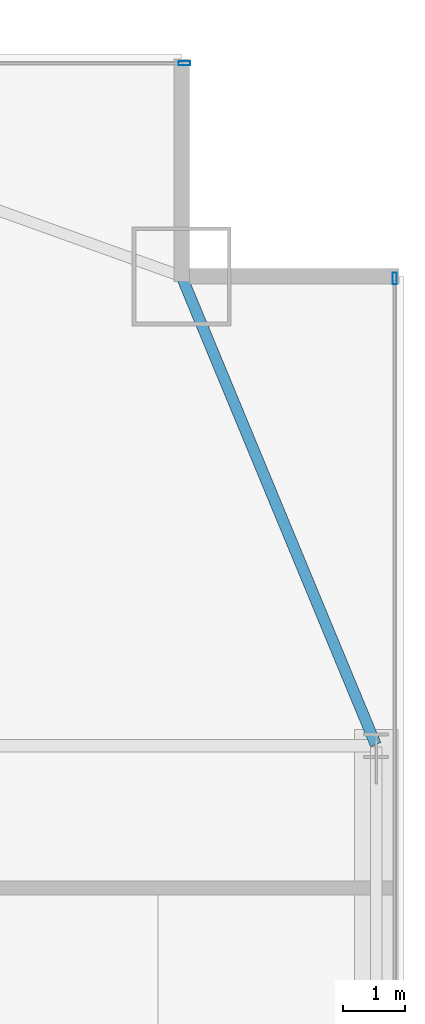
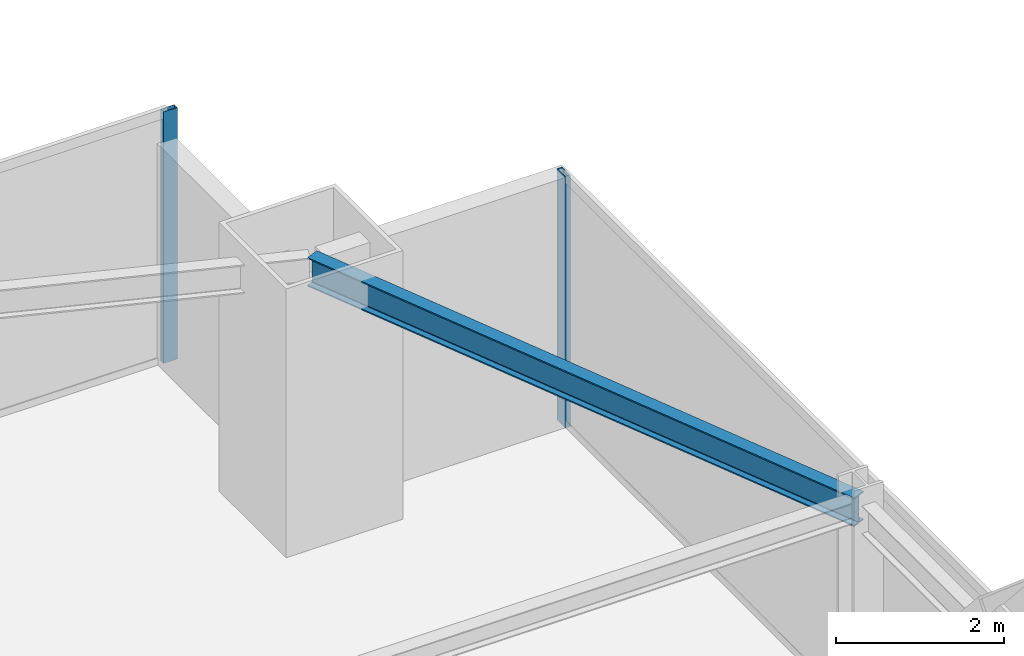
# One storey, part 24 of 32: 2 members, 1 beam, 2 elements without a shape of their own.
"""IFC4 building model written with IfcOpenShell, lengths in metres."""

from ifc_helpers import new_model, si_unit, direction, frame, origin, origin_2d, place, context, subcontext, project, spatial, hollow_rectangle, i_section, extrude, source, transform, mapped, material, layer, layer_set, material_profile, profile_set, type_object, type_shapes, element, aggregate, save


model = new_model("IFC4")

# Units and contexts
model_context = context("Model", 3, precision=1e-05, world=origin(), true_north=direction((0.0, 1.0)))
body_context = subcontext(model_context, "Body", "Model", "MODEL_VIEW")
ifc_project = project(units=[si_unit("LENGTHUNIT", "METRE"), si_unit("AREAUNIT", "SQUARE_METRE"), si_unit("VOLUMEUNIT", "CUBIC_METRE"), si_unit("PLANEANGLEUNIT", "RADIAN"), si_unit("MASSUNIT", "GRAM", prefix="KILO")], contexts=[model_context])

# Site, building, storey
site_placement = place(None, origin())
site = spatial("IfcSite", under=ifc_project, at=site_placement, CompositionType="ELEMENT")
building_placement = place(site_placement, origin())
building = spatial("IfcBuilding", under=site, at=building_placement, Name="Varnel Quay Broadcast Tower", CompositionType="ELEMENT")
storey_placement = place(building_placement, frame((0.0, 0.0, 58.800048828125)))
storey = spatial("IfcBuildingStorey", under=building, at=storey_placement, Name="L13", CompositionType="ELEMENT", Elevation=58.800048828125)

# Beam
ifc_material_1 = material(Name="Structural Steel CSA G40.21 350W", Category="steel")
ifc_material_profile_1 = material_profile(ifc_material_1, i_section(OverallWidth=0.180908203125, OverallDepth=0.4169921875, WebThickness=0.010986328125, FlangeThickness=0.018310546875, FilletRadius=0.011962890625, at=origin_2d()), Name="W410X85")
ifc_profile_set_1 = profile_set([ifc_material_profile_1], Name="Structural Steel CSA G40.21 350W")
beam_type = type_object("IfcBeamType", Name="Beam_W410X85", PredefinedType="SPANDREL", material=ifc_profile_set_1)
shared_shape_1 = source(origin(), body_context, "Body", "SweptSolid", [
    extrude(i_section(OverallWidth=0.180908203125, OverallDepth=0.4169921875, WebThickness=0.010986328125, FlangeThickness=0.018310546875, FilletRadius=0.011962890625, at=origin_2d()), origin(), (0.0, 0.0, 1.0), 8.186767578125),
])
type_shapes(beam_type, [shared_shape_1])
beam_placement = place(storey_placement, frame((65.542236328125, 35.618408203125, 3.44140625), z_axis=(-0.382874132092, 0.923800519038, 0.0), x_axis=(-0.923800519038, -0.382874132092, 0.0)))
element("IfcBeam", 1, at=beam_placement, inside=storey, type_object=beam_type, Name="L13 East Spandrel TC-E3-MC-NE", PredefinedType="SPANDREL", context=body_context, shape_type="MappedRepresentation", body=[
    mapped(shared_shape_1, transform((0.0, 0.0, 0.0), x_axis=(1.0, 0.0, 0.0), y_axis=(0.0, 1.0, 0.0), z_axis=(0.0, 0.0, 1.0), scale=1.0)),
])

# Curtain wall, member
ifc_material_2 = material(Name="Anodised Bronze Aluminium 6063-T6", Category="aluminium")
ifc_layer = layer(ifc_material_2, 0.18994140625, Name="Anodised Bronze Aluminium 6063-T6")
ifc_layer_set = layer_set([ifc_layer], Name="Anodised Bronze Aluminium 6063-T6")
curtain_wall_type = type_object("IfcCurtainWallType", Name="CW_LowerTower", PredefinedType="NOTDEFINED", material=ifc_layer_set)
curtain_wall_1_placement = place(storey_placement, origin())
curtain_wall_1 = element("IfcCurtainWall", 2, at=curtain_wall_1_placement, inside=storey, type_object=curtain_wall_type, Name="L13 East Unitised Curtain Wall", PredefinedType="NOTDEFINED")
ifc_material_profile_2 = material_profile(ifc_material_2, hollow_rectangle(XDim=0.070068359375, YDim=0.18994140625, WallThickness=0.00390625, at=origin_2d()), Name="ALU70X190X4")
ifc_profile_set_2 = profile_set([ifc_material_profile_2], Name="Anodised Bronze Aluminium 6063-T6")
member_type = type_object("IfcMemberType", Name="Mull_CWS-02", PredefinedType="MULLION", material=ifc_profile_set_2)
shared_shape_2 = source(origin(), body_context, "Body", "SweptSolid", [
    extrude(hollow_rectangle(XDim=0.070068359375, YDim=0.18994140625, WallThickness=0.00390625, at=origin_2d()), origin(), (0.0, 0.0, 1.0), 3.64990234375),
])
type_shapes(member_type, [shared_shape_2])
member_1_placement = place(storey_placement, frame((65.85009765625, 43.1650390625, 0.0), z_axis=(0.0, 0.0, 1.0), x_axis=(-1.0, 0.0, 0.0)))
member_1 = element("IfcMember", 3, at=member_1_placement, type_object=member_type, Name="CWS-02 mullion 4", PredefinedType="MULLION", context=body_context, shape_type="MappedRepresentation", body=[
    mapped(shared_shape_2, transform((0.0, 0.0, 0.0), x_axis=(1.0, 0.0, 0.0), y_axis=(0.0, 1.0, 0.0), z_axis=(0.0, 0.0, 1.0), scale=1.0)),
])
aggregate(curtain_wall_1, [member_1])

curtain_wall_2_placement = place(storey_placement, origin())
curtain_wall_2 = element("IfcCurtainWall", 4, at=curtain_wall_2_placement, inside=storey, type_object=curtain_wall_type, Name="L13 NE Wing Curtain Wall", PredefinedType="NOTDEFINED")
member_2_placement = place(storey_placement, frame((62.445068359375, 46.64990234375, 0.0), z_axis=(0.0, 0.0, 1.0), x_axis=(0.0, 1.0, 0.0)))
member_2 = element("IfcMember", 5, at=member_2_placement, type_object=member_type, Name="CWS-02 mullion 2", PredefinedType="MULLION", context=body_context, shape_type="MappedRepresentation", body=[
    mapped(shared_shape_2, transform((0.0, 0.0, 0.0), x_axis=(1.0, 0.0, 0.0), y_axis=(0.0, 1.0, 0.0), z_axis=(0.0, 0.0, 1.0), scale=1.0)),
])
aggregate(curtain_wall_2, [member_2])

save(model, "model.ifc")
